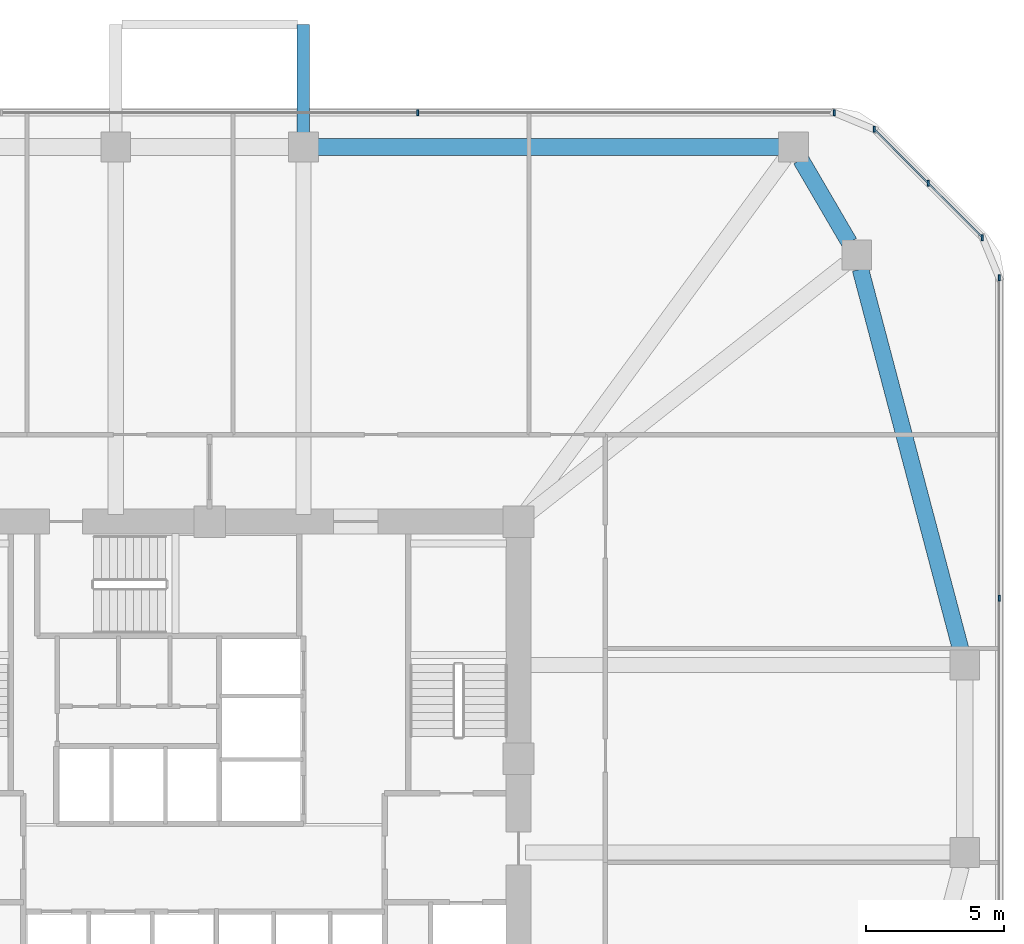
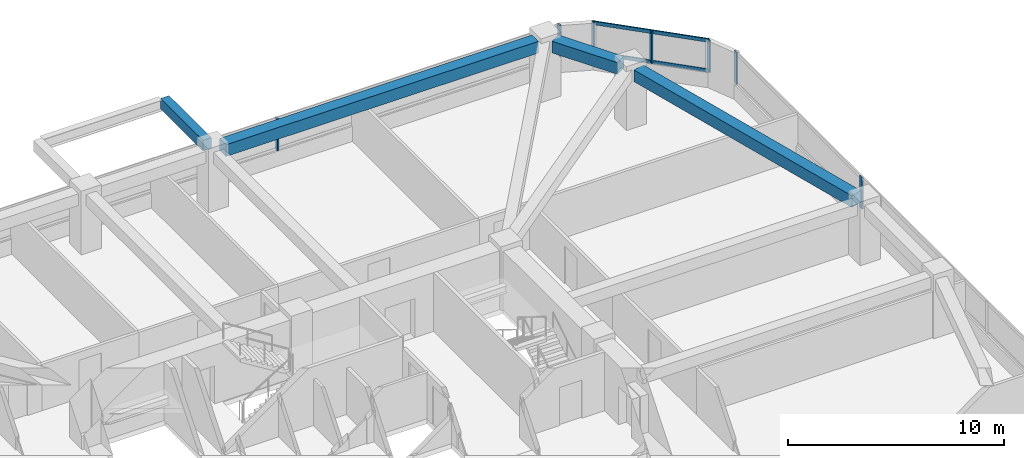
# One storey, part 7 of 13: 9 members, 4 beams, 3 elements without a shape of their own.
"""IFC4 building model written with IfcOpenShell, lengths in metres."""

from ifc_helpers import new_model, si_unit, derived_unit, direction, frame, origin, origin_2d, place, context, subcontext, project, spatial, rectangle, extrude, material, material_profile, profile_set, type_object, element, aggregate, save


model = new_model("IFC4")

# Units and contexts
model_context = context("Model", 3, precision=1e-05, world=origin(), true_north=direction((0.0, 1.0)))
body_context = subcontext(model_context, "Body", "Model", "MODEL_VIEW")
ifc_project = project(units=[si_unit("LENGTHUNIT", "METRE"), si_unit("AREAUNIT", "SQUARE_METRE"), si_unit("VOLUMEUNIT", "CUBIC_METRE"), si_unit("PLANEANGLEUNIT", "RADIAN"), si_unit("MASSUNIT", "GRAM", prefix="KILO"), derived_unit("THERMALTRANSMITTANCEUNIT", [(si_unit("POWERUNIT", "WATT"), 1), (si_unit("LENGTHUNIT", "METRE"), -2), (si_unit("THERMODYNAMICTEMPERATUREUNIT", "KELVIN"), -1)])], contexts=[model_context])

# Site, building, storey
site_placement = place(None, origin())
site = spatial("IfcSite", under=ifc_project, at=site_placement, CompositionType="ELEMENT")
building_placement = place(site_placement, origin())
building = spatial("IfcBuilding", under=site, at=building_placement, Name="Koralith Skygarden Medical Center", CompositionType="ELEMENT")
storey_placement = place(building_placement, frame((0.0, 0.0, 49.139892578125)))
storey = spatial("IfcBuildingStorey", under=building, at=storey_placement, Name="L12", CompositionType="ELEMENT", Elevation=49.139892578125)

# Curtain wall, members
ifc_material_1 = material(Name="Clear Laminated Glass", Category="glass")
curtain_wall_type = type_object("IfcCurtainWallType", Name="CW-2 Zone 1 Hurricane Unitised Curtain Wall", PredefinedType="NOTDEFINED", material=ifc_material_1)
curtain_wall_1_placement = place(storey_placement, origin())
curtain_wall_1 = element("IfcCurtainWall", 1, at=curtain_wall_1_placement, inside=storey, type_object=curtain_wall_type, Name="Curtain Wall CW-L12-E", PredefinedType="NOTDEFINED")
ifc_material_2 = material(Name="Aluminium 6063-T6", Category="aluminium")
ifc_material_profile_1 = material_profile(ifc_material_2, rectangle(XDim=0.071044921875, YDim=0.219970703125, at=origin_2d()), Name="MUL71X220")
ifc_profile_set_1 = profile_set([ifc_material_profile_1], Name="Aluminium 6063-T6")
member_type_1 = type_object("IfcMemberType", Name="CW-2 Extruded Mullion 71x220", PredefinedType="MULLION", material=ifc_profile_set_1)
member_1_placement = place(storey_placement, frame((65.6201171875, 31.715087890625, 0.85009765625), z_axis=(0.0, 0.0, 1.0), x_axis=(1.0, 0.0, 0.0)))
member_1 = element("IfcMember", 2, at=member_1_placement, type_object=member_type_1, Name="CW-L12-E Mullion 3", PredefinedType="MULLION", context=body_context, shape_type="SweptSolid", body=[
    extrude(rectangle(XDim=0.071044921875, YDim=0.219970703125, at=origin_2d()), origin(), (0.0, 0.0, 1.0), 1.800048828125),
])
member_2_placement = place(storey_placement, frame((65.6201171875, 43.344970703125, 0.85009765625), z_axis=(0.0, 0.0, 1.0), x_axis=(1.0, 0.0, 0.0)))
member_2 = element("IfcMember", 3, at=member_2_placement, type_object=member_type_1, Name="CW-L12-E Mullion 4", PredefinedType="MULLION", context=body_context, shape_type="SweptSolid", body=[
    extrude(rectangle(XDim=0.071044921875, YDim=0.219970703125, at=origin_2d()), origin(), (0.0, 0.0, 1.0), 1.800048828125),
])
aggregate(curtain_wall_1, [member_1, member_2])

curtain_wall_2_placement = place(storey_placement, origin())
curtain_wall_2 = element("IfcCurtainWall", 4, at=curtain_wall_2_placement, inside=storey, type_object=curtain_wall_type, Name="Curtain Wall CW-L12-NE", PredefinedType="NOTDEFINED")
member_3_placement = place(storey_placement, frame((65.01904296875, 44.7958984375, 0.85009765625), z_axis=(0.0, 0.0, 1.0), x_axis=(1.0, 0.0, 0.0)))
member_3 = element("IfcMember", 5, at=member_3_placement, type_object=member_type_1, Name="CW-L12-NE Mullion 1", PredefinedType="MULLION", context=body_context, shape_type="SweptSolid", body=[
    extrude(rectangle(XDim=0.071044921875, YDim=0.219970703125, at=origin_2d()), origin(), (0.0, 0.0, 1.0), 1.800048828125),
])
member_4_placement = place(storey_placement, frame((63.05810546875, 46.758056640625, 0.85009765625), z_axis=(0.0, 0.0, 1.0), x_axis=(1.0, 0.0, 0.0)))
member_4 = element("IfcMember", 6, at=member_4_placement, type_object=member_type_1, Name="CW-L12-NE Mullion 2", PredefinedType="MULLION", context=body_context, shape_type="SweptSolid", body=[
    extrude(rectangle(XDim=0.071044921875, YDim=0.219970703125, at=origin_2d()), origin(), (0.0, 0.0, 1.0), 1.800048828125),
])
member_5_placement = place(storey_placement, frame((61.095947265625, 48.718994140625, 0.85009765625), z_axis=(0.0, 0.0, 1.0), x_axis=(1.0, 0.0, 0.0)))
member_5 = element("IfcMember", 7, at=member_5_placement, type_object=member_type_1, Name="CW-L12-NE Mullion 3", PredefinedType="MULLION", context=body_context, shape_type="SweptSolid", body=[
    extrude(rectangle(XDim=0.071044921875, YDim=0.219970703125, at=origin_2d()), origin(), (0.0, 0.0, 1.0), 1.800048828125),
])

curtain_wall_3_placement = place(storey_placement, origin())
curtain_wall_3 = element("IfcCurtainWall", 8, at=curtain_wall_3_placement, inside=storey, type_object=curtain_wall_type, Name="Curtain Wall CW-L12-N", PredefinedType="NOTDEFINED")
member_6_placement = place(storey_placement, frame((59.64501953125, 49.320068359375, 0.85009765625), z_axis=(0.0, 0.0, 1.0), x_axis=(1.0, 0.0, 0.0)))
member_6 = element("IfcMember", 9, at=member_6_placement, type_object=member_type_1, Name="CW-L12-N Mullion 1", PredefinedType="MULLION", context=body_context, shape_type="SweptSolid", body=[
    extrude(rectangle(XDim=0.071044921875, YDim=0.219970703125, at=origin_2d()), origin(), (0.0, 0.0, 1.0), 1.800048828125),
])
member_7_placement = place(storey_placement, frame((44.548095703125, 49.320068359375, 0.85009765625), z_axis=(0.0, 0.0, 1.0), x_axis=(1.0, 0.0, 0.0)))
member_7 = element("IfcMember", 10, at=member_7_placement, type_object=member_type_1, Name="CW-L12-N Mullion 2", PredefinedType="MULLION", context=body_context, shape_type="SweptSolid", body=[
    extrude(rectangle(XDim=0.071044921875, YDim=0.219970703125, at=origin_2d()), origin(), (0.0, 0.0, 1.0), 1.800048828125),
])
aggregate(curtain_wall_3, [member_6, member_7])

# Member
ifc_material_profile_2 = material_profile(ifc_material_2, rectangle(XDim=0.06591796875, YDim=0.197998046875, at=origin_2d()), Name="TRN66X198")
ifc_profile_set_2 = profile_set([ifc_material_profile_2], Name="Aluminium 6063-T6")
member_type_2 = type_object("IfcMemberType", Name="CW-2 Thermal Transom 66x198", PredefinedType="USERDEFINED", material=ifc_profile_set_2)
member_8_placement = place(storey_placement, frame((65.01904296875, 44.7958984375, 0.900146484375), z_axis=(-0.707106781187, 0.707106781187, 0.0), x_axis=(-0.707106781187, -0.707106781187, 0.0)))
member_8 = element("IfcMember", 11, at=member_8_placement, type_object=member_type_2, Name="CW-L12-NE Transom 1", ObjectType="TRANSOM", PredefinedType="USERDEFINED", context=body_context, shape_type="SweptSolid", body=[
    extrude(rectangle(XDim=0.06591796875, YDim=0.197998046875, at=origin_2d()), origin(), (0.0, 0.0, 1.0), 5.548095703125),
])

member_9_placement = place(storey_placement, frame((65.01904296875, 44.7958984375, 2.60009765625), z_axis=(-0.707106781187, 0.707106781187, 0.0), x_axis=(-0.707106781187, -0.707106781187, 0.0)))
member_9 = element("IfcMember", 12, at=member_9_placement, type_object=member_type_2, Name="CW-L12-NE Transom 2", ObjectType="TRANSOM", PredefinedType="USERDEFINED", context=body_context, shape_type="SweptSolid", body=[
    extrude(rectangle(XDim=0.06591796875, YDim=0.197998046875, at=origin_2d()), origin(), (0.0, 0.0, 1.0), 5.548095703125),
])

aggregate(curtain_wall_2, [member_3, member_4, member_5, member_8, member_9])

# Beams
ifc_material_3 = material(Name="Concrete C45/55", Category="concrete")
ifc_material_profile_3 = material_profile(ifc_material_3, rectangle(XDim=0.449951171875, YDim=0.60009765625, at=origin_2d()), Name="RCB450X600")
ifc_profile_set_3 = profile_set([ifc_material_profile_3], Name="Concrete C45/55")
beam_type_1 = type_object("IfcBeamType", Name="Planted Balcony Cantilever Beam RCB450X600", PredefinedType="BEAM", material=ifc_profile_set_3)
beam_1_placement = place(storey_placement, frame((40.39990234375, 48.60009765625, 3.0400390625), z_axis=(0.0, 1.0, 0.0), x_axis=(-1.0, 0.0, 0.0)))
element("IfcBeam", 13, at=beam_1_placement, inside=storey, type_object=beam_type_1, Name="L13 N Balcony Cantilever Beam B", PredefinedType="BEAM", context=body_context, shape_type="SweptSolid", body=[
    extrude(rectangle(XDim=0.449951171875, YDim=0.60009765625, at=origin_2d()), origin(), (0.0, 0.0, 1.0), 3.919921875),
])
ifc_material_profile_4 = material_profile(ifc_material_3, rectangle(XDim=0.60009765625, YDim=0.659912109375, at=origin_2d()), Name="RCB600X660")
ifc_profile_set_4 = profile_set([ifc_material_profile_4], Name="Concrete C45/55")
beam_type_2 = type_object("IfcBeamType", Name="Zone 1 Spandrel Beam RCB600X660", PredefinedType="SPANDREL", material=ifc_profile_set_4)
beam_2_placement = place(storey_placement, frame((64.2451171875, 29.81201171875, 2.989990234375), z_axis=(-0.255088684842, 0.966917660851, 0.0), x_axis=(-0.966917660851, -0.255088684842, 0.0)))
element("IfcBeam", 14, at=beam_2_placement, inside=storey, type_object=beam_type_2, Name="L12 Perimeter Spandrel Beam SP-09", PredefinedType="SPANDREL", context=body_context, shape_type="SweptSolid", body=[
    extrude(rectangle(XDim=0.60009765625, YDim=0.659912109375, at=origin_2d()), origin(), (0.0, 0.0, 1.0), 14.309326171875),
])
beam_3_placement = place(storey_placement, frame((60.19189453125, 44.617919921875, 2.989990234375), z_axis=(-0.504608092658, 0.863348523381, 0.0), x_axis=(-0.863348523381, -0.504608092658, 0.0)))
element("IfcBeam", 15, at=beam_3_placement, inside=storey, type_object=beam_type_2, Name="L12 Perimeter Spandrel Beam SP-10", PredefinedType="SPANDREL", context=body_context, shape_type="SweptSolid", body=[
    extrude(rectangle(XDim=0.60009765625, YDim=0.659912109375, at=origin_2d()), origin(), (0.0, 0.0, 1.0), 3.479736328125),
])
beam_4_placement = place(storey_placement, frame((57.637939453125, 48.080078125, 2.989990234375), z_axis=(-1.0, 0.0, 0.0), x_axis=(0.0, -1.0, 0.0)))
element("IfcBeam", 16, at=beam_4_placement, inside=storey, type_object=beam_type_2, Name="L12 Perimeter Spandrel Beam SP-11", PredefinedType="SPANDREL", context=body_context, shape_type="SweptSolid", body=[
    extrude(rectangle(XDim=0.60009765625, YDim=0.659912109375, at=origin_2d()), origin(), (0.0, 0.0, 1.0), 16.7080078125),
])

save(model, "model.ifc")
